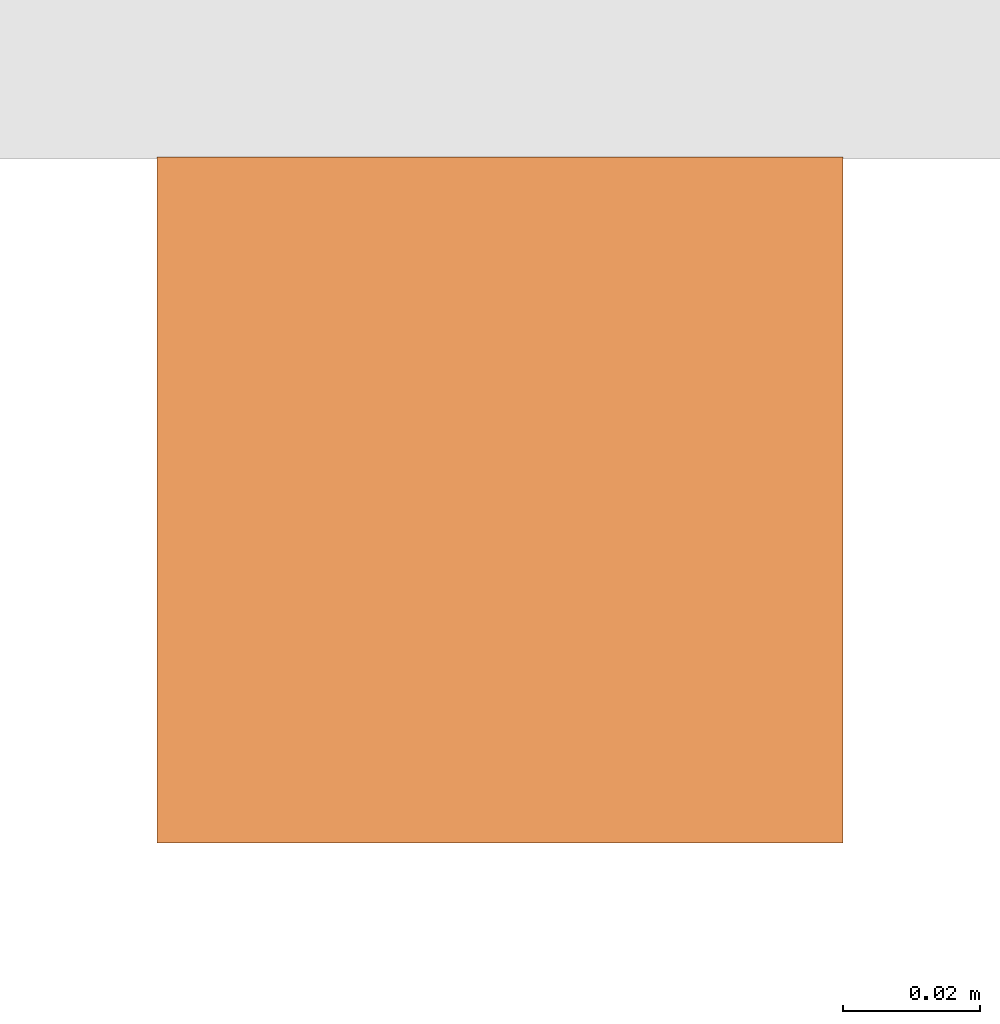
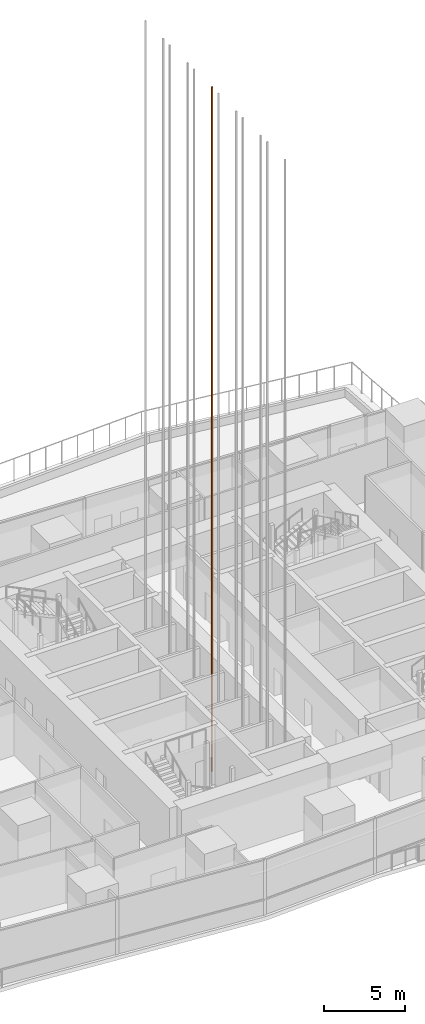
# One storey, part 34 of 39: 1 proxy.
"""IFC4 building model written with IfcOpenShell, lengths in metres."""

import ifcopenshell
import ifcopenshell.guid

model = None  # the IFC model being written
_history = None  # IfcOwnerHistory: only IFC2X3 demands one
_inside = {}  # id of a spatial element -> (the spatial element, [elements in it])
_under = {}  # id of a project, library or spatial element -> (it, [spatial elements below it])
_declared = {}  # id of a project -> (the project, [libraries it declares])
_typed = {}  # id of a type object -> (the type object, [elements of that type])
_made_of = {}  # id of a material, layer set ... -> (it, [elements and type objects made of it])


def new_model(schema):
    """Start an empty IFC model of exactly this schema.

    Asked for "IFC4X3", IfcOpenShell would pick the latest addendum, in which some entities
    have other attributes; the version numbers below select the first issue.
    IFC2X3 requires an IfcOwnerHistory on every rooted entity: one is made here for all.
    """
    global model, _history
    if schema == "IFC4X3":
        model = ifcopenshell.file(schema_version=(4, 3, 0, 0))
    else:
        model = ifcopenshell.file(schema=schema)
    _inside.clear()
    _under.clear()
    _declared.clear()
    _typed.clear()
    _made_of.clear()
    _history = None
    if model.schema == "IFC2X3":
        org = make("IfcOrganization", Name="unknown")
        user = make(
            "IfcPersonAndOrganization",
            ThePerson=make("IfcPerson", FamilyName="unknown"),
            TheOrganization=org,
        )
        app = make(
            "IfcApplication",
            ApplicationDeveloper=org,
            Version="unknown",
            ApplicationFullName="unknown",
            ApplicationIdentifier="unknown",
        )
        _history = make(
            "IfcOwnerHistory",
            OwningUser=user,
            OwningApplication=app,
            ChangeAction="ADDED",
            CreationDate=0,
        )
    return model


def make(cls, **values):
    """One entity of the class cls with the attributes given. An attribute that is None is left unset."""
    return model.create_entity(
        cls, **{name: value for name, value in values.items() if value is not None}
    )


def rooted(cls, **values):
    """An entity with a GlobalId (a new one), such as an element, a storey or a relation."""
    return make(cls, GlobalId=ifcopenshell.guid.new(), OwnerHistory=_history, **values)


def si_unit(unit_type, name, prefix=None):
    """IfcSIUnit, for example si_unit("LENGTHUNIT", "METRE", prefix="MILLI")."""
    return make("IfcSIUnit", UnitType=unit_type, Prefix=prefix, Name=name)


def assignment(units):
    """IfcUnitAssignment: the units of a project."""
    return None if units is None else make("IfcUnitAssignment", Units=units)


def point(xyz):
    """IfcCartesianPoint."""
    return None if xyz is None else make("IfcCartesianPoint", Coordinates=xyz)


def direction(xyz):
    """IfcDirection."""
    return None if xyz is None else make("IfcDirection", DirectionRatios=xyz)


def frame(location, z_axis=None, x_axis=None):
    """IfcAxis2Placement3D, a coordinate frame: its origin and axes. An axis left out is left unset."""
    return make(
        "IfcAxis2Placement3D",
        Location=point(location),
        Axis=direction(z_axis),
        RefDirection=direction(x_axis),
    )


def frame_2d(location, x_axis=None):
    """IfcAxis2Placement2D, a coordinate frame in the plane: its origin and x axis."""
    return make(
        "IfcAxis2Placement2D", Location=point(location), RefDirection=direction(x_axis)
    )


def origin():
    """The frame at (0, 0, 0) with its axes left unset."""
    return frame((0.0, 0.0, 0.0))


def origin_2d():
    """The frame at (0, 0) in the plane with its x axis left unset."""
    return frame_2d((0.0, 0.0))


def place(relative_to, where):
    """IfcLocalPlacement: puts the frame where relative to a parent placement (None: the world)."""
    return make(
        "IfcLocalPlacement", PlacementRelTo=relative_to, RelativePlacement=where
    )


def context(
    kind, dimensions, precision=None, world=None, true_north=None, identifier=None
):
    """IfcGeometricRepresentationContext, for example the 3D "Model" context."""
    return make(
        "IfcGeometricRepresentationContext",
        ContextIdentifier=identifier,
        ContextType=kind,
        CoordinateSpaceDimension=dimensions,
        Precision=precision,
        WorldCoordinateSystem=world,
        TrueNorth=true_north,
    )


def subcontext(parent, identifier, kind, view, scale=None):
    """IfcGeometricRepresentationSubContext, for example "Body" below "Model"."""
    return make(
        "IfcGeometricRepresentationSubContext",
        ContextIdentifier=identifier,
        ContextType=kind,
        ParentContext=parent,
        TargetScale=scale,
        TargetView=view,
    )


def project(units=None, contexts=None):
    """IfcProject with its units and contexts."""
    return rooted(
        "IfcProject",
        Name="project",
        RepresentationContexts=contexts,
        UnitsInContext=assignment(units),
    )


def spatial(cls, under=None, at=None, **own):
    """A site, building, storey or space (cls), placed at a placement, below another one or the project."""
    s = rooted(cls, ObjectPlacement=at, **own)
    if under is not None:
        _under.setdefault(under.id(), (under, []))[1].append(s)
    return s


def profile(cls, at=None, kind="AREA", **sizes):
    """A parametric profile (cls). Its sizes go by their IFC names, for example OverallWidth=200.0."""
    return make(cls, ProfileType=kind, Position=at, **sizes)


def rectangle(**sizes):
    """IfcRectangleProfileDef."""
    return profile("IfcRectangleProfileDef", **sizes)


def extrude(swept, where, along, depth):
    """IfcExtrudedAreaSolid: the profile swept, set in the frame where, extruded along a direction by depth."""
    return make(
        "IfcExtrudedAreaSolid",
        SweptArea=swept,
        Position=where,
        ExtrudedDirection=direction(along),
        Depth=depth,
    )


def shape(context_of_items, identifier, shape_type, items):
    """IfcShapeRepresentation: the items that make up one representation, for example the "Body"."""
    return make(
        "IfcShapeRepresentation",
        ContextOfItems=context_of_items,
        RepresentationIdentifier=identifier,
        RepresentationType=shape_type,
        Items=items,
    )


def material(Name=None, Category=None):
    """IfcMaterial."""
    return make("IfcMaterial", Name=Name, Category=Category)


def made_of(thing, what):
    """Note that an element or type object is made of a material, layer set ...; save() writes the relation."""
    if what is not None:
        _made_of.setdefault(what.id(), (what, []))[1].append(thing)
    return thing


def type_object(cls, material=None, **own):
    """A type object (cls), such as IfcWallType, which elements share."""
    return made_of(rooted(cls, **own), material)


def element(
    cls,
    number,
    at=None,
    inside=None,
    cuts=None,
    type_object=None,
    material=None,
    context=None,
    identifier="Body",
    shape_type=None,
    held_by="IfcProductDefinitionShape",
    body=None,
    shapes=None,
    **own,
):
    """One element of the class cls, such as IfcWall. Its Tag is "e" and its number.

    at: its placement. inside: the storey or other place that contains it. cuts: it is an
    opening in that element (IfcRelVoidsElement). A single representation is given by context,
    identifier, shape_type and body (its items); several are given by shapes. held_by: the class
    of the entity that holds the representations. save() writes the other relations.
    """
    e = rooted(cls, Tag="e%d" % number, ObjectPlacement=at, **own)
    if body is not None:
        shapes = [shape(context, identifier, shape_type, body)]
    if shapes is not None:
        e.Representation = make(held_by, Representations=shapes)
    if inside is not None:
        _inside.setdefault(inside.id(), (inside, []))[1].append(e)
    if cuts is not None:
        rooted(
            "IfcRelVoidsElement", RelatingBuildingElement=cuts, RelatedOpeningElement=e
        )
    if type_object is not None:
        _typed.setdefault(type_object.id(), (type_object, []))[1].append(e)
    return made_of(e, material)


def aggregate(whole, parts):
    """IfcRelAggregates: a whole, such as a stair, and the parts it consists of."""
    return rooted("IfcRelAggregates", RelatingObject=whole, RelatedObjects=parts)


def save(model, path):
    """Write the relations noted so far, then the file.

    IfcRelAggregates (storeys below a building ...), IfcRelContainedInSpatialStructure (elements
    in a storey), IfcRelDefinesByType, IfcRelAssociatesMaterial and IfcRelDeclares: one each for
    every whole, place, type object, material and project.
    """
    for whole, parts in _under.values():
        aggregate(whole, parts)
    for where, things in _inside.values():
        rooted(
            "IfcRelContainedInSpatialStructure",
            RelatedElements=things,
            RelatingStructure=where,
        )
    for kind, things in _typed.values():
        rooted("IfcRelDefinesByType", RelatedObjects=things, RelatingType=kind)
    for what, things in _made_of.values():
        rooted("IfcRelAssociatesMaterial", RelatedObjects=things, RelatingMaterial=what)
    for by, libraries in _declared.values():
        rooted("IfcRelDeclares", RelatingContext=by, RelatedDefinitions=libraries)
    model.write(path)


model = new_model("IFC4")

# Units and contexts
model_context = context("Model", 3, precision=1e-05, world=origin(), true_north=direction((0.0, 1.0)))
body_context = subcontext(model_context, "Body", "Model", "MODEL_VIEW")
ifc_project = project(units=[si_unit("LENGTHUNIT", "METRE"), si_unit("AREAUNIT", "SQUARE_METRE"), si_unit("VOLUMEUNIT", "CUBIC_METRE"), si_unit("PLANEANGLEUNIT", "RADIAN"), si_unit("MASSUNIT", "GRAM", prefix="KILO")], contexts=[model_context])

# Site, building, storey
site_placement = place(None, origin())
site = spatial("IfcSite", under=ifc_project, at=site_placement, CompositionType="ELEMENT")
building_placement = place(site_placement, origin())
building = spatial("IfcBuilding", under=site, at=building_placement, Name="Rekha Terrace Tower", CompositionType="ELEMENT")
storey_placement = place(building_placement, frame((0.0, 0.0, 245.60009765625)))
storey = spatial("IfcBuildingStorey", under=building, at=storey_placement, Name="L62", CompositionType="ELEMENT", Elevation=245.60009765625)

# Proxy
ifc_material = material(Name="Steel guide rail", Category="steel")
building_element_proxy_type = type_object("IfcBuildingElementProxyType", Name="LR1 100 lift guide rail", PredefinedType="ELEMENT", material=ifc_material)
proxy_placement = place(storey_placement, frame((34.5, 32.800048828125, -3.30029296875), z_axis=(0.0, 0.0, 1.0), x_axis=(1.0, 0.0, 0.0)))
element("IfcBuildingElementProxy", 1, at=proxy_placement, inside=storey, type_object=building_element_proxy_type, Name="Lift D4 guide rail 1", PredefinedType="ELEMENT", context=body_context, shape_type="SweptSolid", body=[
    extrude(rectangle(XDim=0.10009765625, YDim=0.10009765625, at=origin_2d()), origin(), (0.0, 0.0, 1.0), 51.449951171875),
])

save(model, "model.ifc")
